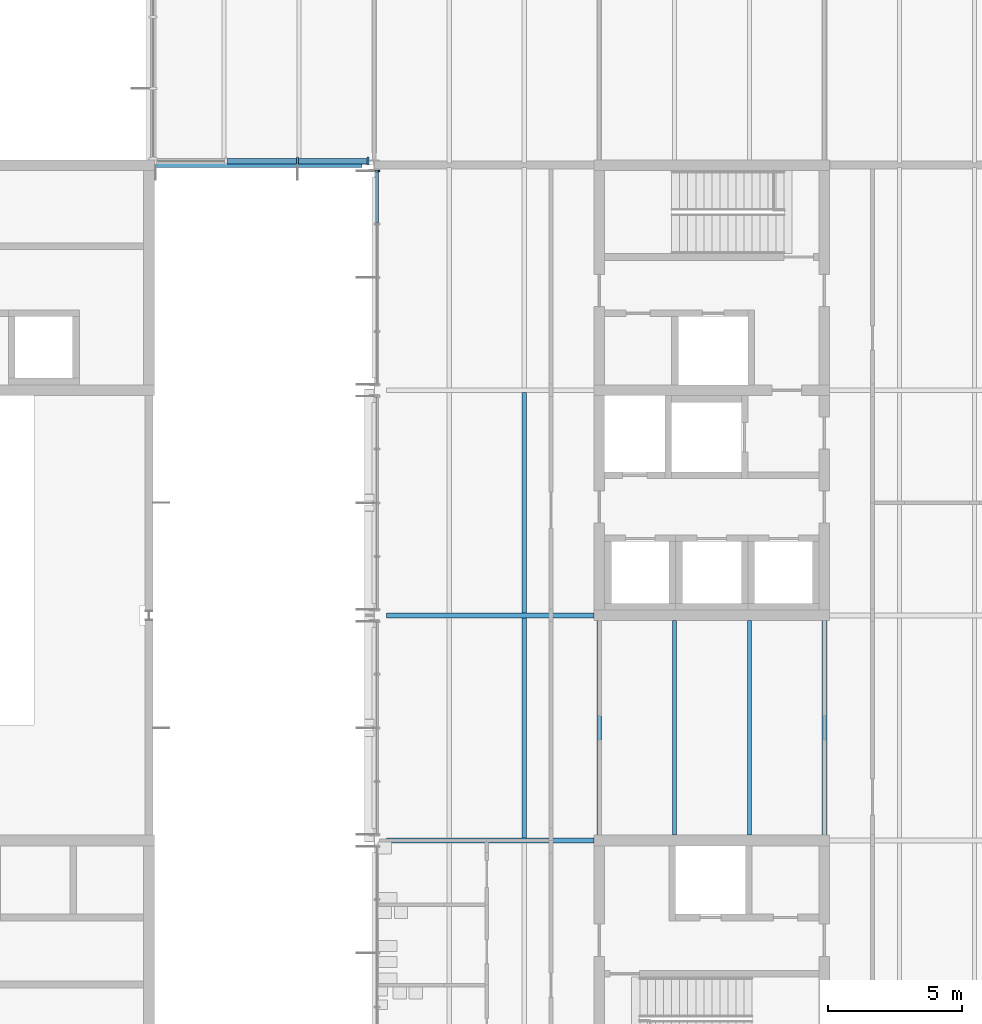
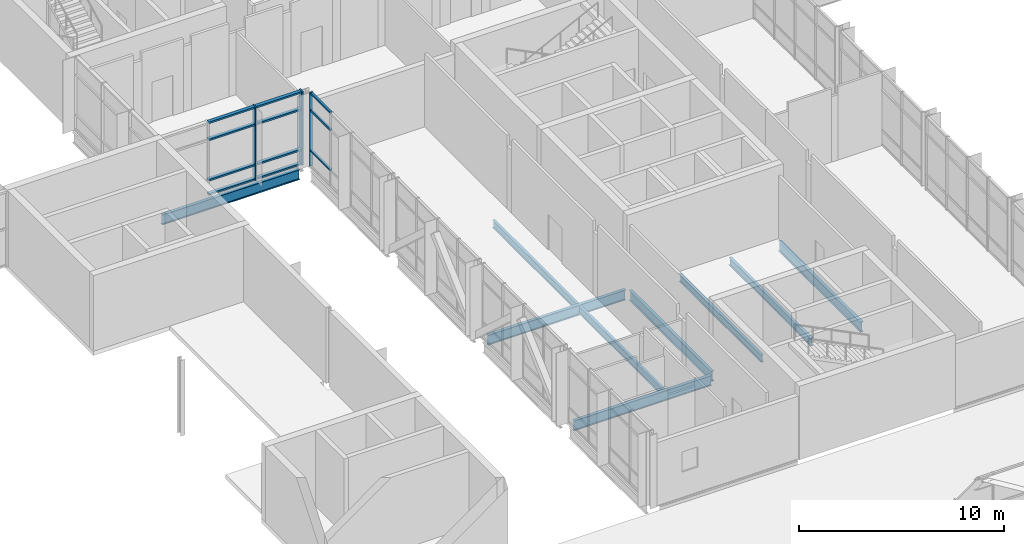
# One storey, part 28 of 89: 14 members, 9 beams, 2 elements without a shape of their own.
"""IFC4 building model written with IfcOpenShell, lengths in metres."""

import ifcopenshell
import ifcopenshell.guid

model = None  # the IFC model being written
_history = None  # IfcOwnerHistory: only IFC2X3 demands one
_inside = {}  # id of a spatial element -> (the spatial element, [elements in it])
_under = {}  # id of a project, library or spatial element -> (it, [spatial elements below it])
_declared = {}  # id of a project -> (the project, [libraries it declares])
_typed = {}  # id of a type object -> (the type object, [elements of that type])
_made_of = {}  # id of a material, layer set ... -> (it, [elements and type objects made of it])


def new_model(schema):
    """Start an empty IFC model of exactly this schema.

    Asked for "IFC4X3", IfcOpenShell would pick the latest addendum, in which some entities
    have other attributes; the version numbers below select the first issue.
    IFC2X3 requires an IfcOwnerHistory on every rooted entity: one is made here for all.
    """
    global model, _history
    if schema == "IFC4X3":
        model = ifcopenshell.file(schema_version=(4, 3, 0, 0))
    else:
        model = ifcopenshell.file(schema=schema)
    _inside.clear()
    _under.clear()
    _declared.clear()
    _typed.clear()
    _made_of.clear()
    _history = None
    if model.schema == "IFC2X3":
        org = make("IfcOrganization", Name="unknown")
        user = make(
            "IfcPersonAndOrganization",
            ThePerson=make("IfcPerson", FamilyName="unknown"),
            TheOrganization=org,
        )
        app = make(
            "IfcApplication",
            ApplicationDeveloper=org,
            Version="unknown",
            ApplicationFullName="unknown",
            ApplicationIdentifier="unknown",
        )
        _history = make(
            "IfcOwnerHistory",
            OwningUser=user,
            OwningApplication=app,
            ChangeAction="ADDED",
            CreationDate=0,
        )
    return model


def make(cls, **values):
    """One entity of the class cls with the attributes given. An attribute that is None is left unset."""
    return model.create_entity(
        cls, **{name: value for name, value in values.items() if value is not None}
    )


def rooted(cls, **values):
    """An entity with a GlobalId (a new one), such as an element, a storey or a relation."""
    return make(cls, GlobalId=ifcopenshell.guid.new(), OwnerHistory=_history, **values)


def si_unit(unit_type, name, prefix=None):
    """IfcSIUnit, for example si_unit("LENGTHUNIT", "METRE", prefix="MILLI")."""
    return make("IfcSIUnit", UnitType=unit_type, Prefix=prefix, Name=name)


def assignment(units):
    """IfcUnitAssignment: the units of a project."""
    return None if units is None else make("IfcUnitAssignment", Units=units)


def point(xyz):
    """IfcCartesianPoint."""
    return None if xyz is None else make("IfcCartesianPoint", Coordinates=xyz)


def direction(xyz):
    """IfcDirection."""
    return None if xyz is None else make("IfcDirection", DirectionRatios=xyz)


def frame(location, z_axis=None, x_axis=None):
    """IfcAxis2Placement3D, a coordinate frame: its origin and axes. An axis left out is left unset."""
    return make(
        "IfcAxis2Placement3D",
        Location=point(location),
        Axis=direction(z_axis),
        RefDirection=direction(x_axis),
    )


def frame_2d(location, x_axis=None):
    """IfcAxis2Placement2D, a coordinate frame in the plane: its origin and x axis."""
    return make(
        "IfcAxis2Placement2D", Location=point(location), RefDirection=direction(x_axis)
    )


def origin():
    """The frame at (0, 0, 0) with its axes left unset."""
    return frame((0.0, 0.0, 0.0))


def origin_2d():
    """The frame at (0, 0) in the plane with its x axis left unset."""
    return frame_2d((0.0, 0.0))


def place(relative_to, where):
    """IfcLocalPlacement: puts the frame where relative to a parent placement (None: the world)."""
    return make(
        "IfcLocalPlacement", PlacementRelTo=relative_to, RelativePlacement=where
    )


def context(
    kind, dimensions, precision=None, world=None, true_north=None, identifier=None
):
    """IfcGeometricRepresentationContext, for example the 3D "Model" context."""
    return make(
        "IfcGeometricRepresentationContext",
        ContextIdentifier=identifier,
        ContextType=kind,
        CoordinateSpaceDimension=dimensions,
        Precision=precision,
        WorldCoordinateSystem=world,
        TrueNorth=true_north,
    )


def subcontext(parent, identifier, kind, view, scale=None):
    """IfcGeometricRepresentationSubContext, for example "Body" below "Model"."""
    return make(
        "IfcGeometricRepresentationSubContext",
        ContextIdentifier=identifier,
        ContextType=kind,
        ParentContext=parent,
        TargetScale=scale,
        TargetView=view,
    )


def project(units=None, contexts=None):
    """IfcProject with its units and contexts."""
    return rooted(
        "IfcProject",
        Name="project",
        RepresentationContexts=contexts,
        UnitsInContext=assignment(units),
    )


def spatial(cls, under=None, at=None, **own):
    """A site, building, storey or space (cls), placed at a placement, below another one or the project."""
    s = rooted(cls, ObjectPlacement=at, **own)
    if under is not None:
        _under.setdefault(under.id(), (under, []))[1].append(s)
    return s


def profile(cls, at=None, kind="AREA", **sizes):
    """A parametric profile (cls). Its sizes go by their IFC names, for example OverallWidth=200.0."""
    return make(cls, ProfileType=kind, Position=at, **sizes)


def rectangle(**sizes):
    """IfcRectangleProfileDef."""
    return profile("IfcRectangleProfileDef", **sizes)


def i_section(**sizes):
    """IfcIShapeProfileDef."""
    return profile("IfcIShapeProfileDef", **sizes)


def extrude(swept, where, along, depth):
    """IfcExtrudedAreaSolid: the profile swept, set in the frame where, extruded along a direction by depth."""
    return make(
        "IfcExtrudedAreaSolid",
        SweptArea=swept,
        Position=where,
        ExtrudedDirection=direction(along),
        Depth=depth,
    )


def shape(context_of_items, identifier, shape_type, items):
    """IfcShapeRepresentation: the items that make up one representation, for example the "Body"."""
    return make(
        "IfcShapeRepresentation",
        ContextOfItems=context_of_items,
        RepresentationIdentifier=identifier,
        RepresentationType=shape_type,
        Items=items,
    )


def material(Name=None, Category=None):
    """IfcMaterial."""
    return make("IfcMaterial", Name=Name, Category=Category)


def material_profile(
    of_material, cross_section, Name=None, Category=None, Priority=None
):
    """IfcMaterialProfile: a cross section and its material."""
    return make(
        "IfcMaterialProfile",
        Name=Name,
        Material=of_material,
        Profile=cross_section,
        Priority=Priority,
        Category=Category,
    )


def profile_set(profiles, Name=None, composite=None):
    """IfcMaterialProfileSet."""
    return make(
        "IfcMaterialProfileSet",
        Name=Name,
        MaterialProfiles=profiles,
        CompositeProfile=composite,
    )


def made_of(thing, what):
    """Note that an element or type object is made of a material, layer set ...; save() writes the relation."""
    if what is not None:
        _made_of.setdefault(what.id(), (what, []))[1].append(thing)
    return thing


def type_object(cls, material=None, **own):
    """A type object (cls), such as IfcWallType, which elements share."""
    return made_of(rooted(cls, **own), material)


def element(
    cls,
    number,
    at=None,
    inside=None,
    cuts=None,
    type_object=None,
    material=None,
    context=None,
    identifier="Body",
    shape_type=None,
    held_by="IfcProductDefinitionShape",
    body=None,
    shapes=None,
    **own,
):
    """One element of the class cls, such as IfcWall. Its Tag is "e" and its number.

    at: its placement. inside: the storey or other place that contains it. cuts: it is an
    opening in that element (IfcRelVoidsElement). A single representation is given by context,
    identifier, shape_type and body (its items); several are given by shapes. held_by: the class
    of the entity that holds the representations. save() writes the other relations.
    """
    e = rooted(cls, Tag="e%d" % number, ObjectPlacement=at, **own)
    if body is not None:
        shapes = [shape(context, identifier, shape_type, body)]
    if shapes is not None:
        e.Representation = make(held_by, Representations=shapes)
    if inside is not None:
        _inside.setdefault(inside.id(), (inside, []))[1].append(e)
    if cuts is not None:
        rooted(
            "IfcRelVoidsElement", RelatingBuildingElement=cuts, RelatedOpeningElement=e
        )
    if type_object is not None:
        _typed.setdefault(type_object.id(), (type_object, []))[1].append(e)
    return made_of(e, material)


def aggregate(whole, parts):
    """IfcRelAggregates: a whole, such as a stair, and the parts it consists of."""
    return rooted("IfcRelAggregates", RelatingObject=whole, RelatedObjects=parts)


def save(model, path):
    """Write the relations noted so far, then the file.

    IfcRelAggregates (storeys below a building ...), IfcRelContainedInSpatialStructure (elements
    in a storey), IfcRelDefinesByType, IfcRelAssociatesMaterial and IfcRelDeclares: one each for
    every whole, place, type object, material and project.
    """
    for whole, parts in _under.values():
        aggregate(whole, parts)
    for where, things in _inside.values():
        rooted(
            "IfcRelContainedInSpatialStructure",
            RelatedElements=things,
            RelatingStructure=where,
        )
    for kind, things in _typed.values():
        rooted("IfcRelDefinesByType", RelatedObjects=things, RelatingType=kind)
    for what, things in _made_of.values():
        rooted("IfcRelAssociatesMaterial", RelatedObjects=things, RelatingMaterial=what)
    for by, libraries in _declared.values():
        rooted("IfcRelDeclares", RelatingContext=by, RelatedDefinitions=libraries)
    model.write(path)


model = new_model("IFC4")

# Units and contexts
model_context = context("Model", 3, precision=1e-05, world=origin(), true_north=direction((0.0, 1.0)))
body_context = subcontext(model_context, "Body", "Model", "MODEL_VIEW")
ifc_project = project(units=[si_unit("LENGTHUNIT", "METRE"), si_unit("AREAUNIT", "SQUARE_METRE"), si_unit("VOLUMEUNIT", "CUBIC_METRE"), si_unit("PLANEANGLEUNIT", "RADIAN"), si_unit("MASSUNIT", "GRAM", prefix="KILO")], contexts=[model_context])

# Site, building, storey
site_placement = place(None, origin())
site = spatial("IfcSite", under=ifc_project, at=site_placement, CompositionType="ELEMENT")
building_placement = place(site_placement, origin())
building = spatial("IfcBuilding", under=site, at=building_placement, Name="Hlaing Beacon Police Headquarters", CompositionType="ELEMENT")
storey_placement = place(building_placement, frame((0.0, 0.0, 9.89990234375)))
storey = spatial("IfcBuildingStorey", under=building, at=storey_placement, Name="L02", CompositionType="ELEMENT", Elevation=9.89990234375)

# Beams
ifc_material_1 = material(Name="Steel ASTM A992 Grade 50", Category="steel")
ifc_material_profile_1 = material_profile(ifc_material_1, i_section(OverallWidth=0.177978515625, OverallDepth=0.599365234375, WebThickness=0.010009765625, FlangeThickness=0.012939453125, FilletRadius=0.012939453125, at=origin_2d()), Name="W24x55")
ifc_profile_set_1 = profile_set([ifc_material_profile_1], Name="Steel ASTM A992 Grade 50")
beam_type_1 = type_object("IfcBeamType", Name="Girder W24x55", PredefinedType="BEAM", material=ifc_profile_set_1)
for number, where, z_axis, x_axis, name in (
    (1, (101.25, 42.0, -0.4296875), (1.0, 0.0, 0.0), (0.0, 1.0, 0.0), "STR-BM-L02-GX-N6-P6"),
    (2, (101.25, 50.39990234375, -0.4296875), (1.0, 0.0, 0.0), (0.0, 1.0, 0.0), "STR-BM-L02-GX-N7-P7"),
    (3, (92.60009765625, 67.199951171875, -0.4296875), (1.0, 0.0, 0.0), (0.0, 1.0, 0.0), "STR-BM-L02-GX-M9-N9"),
):
    element("IfcBeam", number, at=place(storey_placement, frame(where, z_axis=z_axis, x_axis=x_axis)), inside=storey, type_object=beam_type_1, Name=name, PredefinedType="BEAM", context=body_context, shape_type="SweptSolid", body=[
        extrude(i_section(OverallWidth=0.177978515625, OverallDepth=0.599365234375, WebThickness=0.010009765625, FlangeThickness=0.012939453125, FilletRadius=0.012939453125, at=origin_2d()), origin(), (0.0, 0.0, 1.0), 7.75),
    ])
for number, where, z_axis, x_axis, name in (
    (4, (109.199951171875, 42.199951171875, -0.4296875), (0.0, 1.0, 0.0), (-1.0, 0.0, 0.0), "STR-BM-L02-GY-P6-P7"),
    (5, (117.60009765625, 42.199951171875, -0.4296875), (0.0, 1.0, 0.0), (-1.0, 0.0, 0.0), "STR-BM-L02-GY-Q6-Q7"),
):
    element("IfcBeam", number, at=place(storey_placement, frame(where, z_axis=z_axis, x_axis=x_axis)), inside=storey, type_object=beam_type_1, Name=name, PredefinedType="BEAM", context=body_context, shape_type="SweptSolid", body=[
        extrude(i_section(OverallWidth=0.177978515625, OverallDepth=0.599365234375, WebThickness=0.010009765625, FlangeThickness=0.012939453125, FilletRadius=0.012939453125, at=origin_2d()), origin(), (0.0, 0.0, 1.0), 8.0),
    ])

# Curtain wall, member
ifc_material_2 = material(Name="Aluminium frame with solar control glazing", Category="aluminium")
curtain_wall_type_1 = type_object("IfcCurtainWallType", Name="Unitised curtain wall 8.02 x 4.37", PredefinedType="NOTDEFINED", material=ifc_material_2)
curtain_wall_1_placement = place(storey_placement, origin())
curtain_wall_1 = element("IfcCurtainWall", 6, at=curtain_wall_1_placement, inside=storey, type_object=curtain_wall_type_1, Name="ENV-CW-L02-W030", PredefinedType="NOTDEFINED")
ifc_material_3 = material(Name="Aluminium", Category="aluminium")
ifc_material_profile_2 = material_profile(ifc_material_3, rectangle(XDim=0.199951171875, YDim=0.06005859375, at=origin_2d()), Name="Mullion 60x200")
ifc_profile_set_2 = profile_set([ifc_material_profile_2], Name="Aluminium")
member_type_1 = type_object("IfcMemberType", Name="Mullion 60x200", PredefinedType="MULLION", material=ifc_profile_set_2)
member_1_placement = place(storey_placement, frame((100.89990234375, 66.98193359375, 0.0), z_axis=(0.0, 0.0, 1.0), x_axis=(1.0, 0.0, 0.0)))
member_1 = element("IfcMember", 7, at=member_1_placement, type_object=member_type_1, Name="CW-L02-W030 mullion 1", PredefinedType="MULLION", context=body_context, shape_type="SweptSolid", body=[
    extrude(rectangle(XDim=0.199951171875, YDim=0.06005859375, at=origin_2d()), origin(), (0.0, 0.0, 1.0), 4.3701171875),
])

# Curtain wall, members
ifc_material_4 = material(Name="Aluminium frame with solar control glazing", Category="aluminium")
curtain_wall_type_2 = type_object("IfcCurtainWallType", Name="Structural glazed gable wall 8.00 x 4.37", PredefinedType="NOTDEFINED", material=ifc_material_4)
curtain_wall_2_placement = place(storey_placement, origin())
curtain_wall_2 = element("IfcCurtainWall", 8, at=curtain_wall_2_placement, inside=storey, type_object=curtain_wall_type_2, Name="ENV-CW-L02-S029", PredefinedType="NOTDEFINED")
ifc_material_5 = material(Name="Aluminium", Category="aluminium")
ifc_material_profile_3 = material_profile(ifc_material_5, rectangle(XDim=0.300048828125, YDim=0.080078125, at=origin_2d()), Name="Mullion 80x300")
ifc_profile_set_3 = profile_set([ifc_material_profile_3], Name="Aluminium")
member_type_2 = type_object("IfcMemberType", Name="Mullion 80x300", PredefinedType="MULLION", material=ifc_profile_set_3)
member_2_placement = place(storey_placement, frame((97.935546875, 67.35009765625, 0.0), z_axis=(0.0, 0.0, 1.0), x_axis=(0.0, 1.0, 0.0)))
member_2 = element("IfcMember", 9, at=member_2_placement, type_object=member_type_2, Name="CW-L02-S029 mullion 3", PredefinedType="MULLION", context=body_context, shape_type="SweptSolid", body=[
    extrude(rectangle(XDim=0.300048828125, YDim=0.080078125, at=origin_2d()), origin(), (0.0, 0.0, 1.0), 4.3701171875),
])
member_3_placement = place(storey_placement, frame((100.563232421875, 67.35009765625, 0.0), z_axis=(0.0, 0.0, 1.0), x_axis=(0.0, 1.0, 0.0)))
member_3 = element("IfcMember", 10, at=member_3_placement, type_object=member_type_2, Name="CW-L02-S029 mullion 4", PredefinedType="MULLION", context=body_context, shape_type="SweptSolid", body=[
    extrude(rectangle(XDim=0.300048828125, YDim=0.080078125, at=origin_2d()), origin(), (0.0, 0.0, 1.0), 4.3701171875),
])

# Beams
ifc_material_6 = material(Name="Steel ASTM A992 Grade 50", Category="steel")
ifc_material_profile_4 = material_profile(ifc_material_6, i_section(OverallWidth=0.15234375, OverallDepth=0.449462890625, WebThickness=0.007568359375, FlangeThickness=0.0107421875, FilletRadius=0.01025390625, at=origin_2d()), Name="W18x35")
ifc_profile_set_4 = profile_set([ifc_material_profile_4], Name="Steel ASTM A992 Grade 50")
beam_type_2 = type_object("IfcBeamType", Name="Secondary beam W18x35", PredefinedType="BEAM", material=ifc_profile_set_4)
for number, where, z_axis, x_axis, name in (
    (11, (106.39990234375, 42.089111328125, -0.354736328125), (0.0, 1.0, 0.0), (-1.0, 0.0, 0.0), "STR-BM-L02-SB-N6-y2"),
    (12, (106.39990234375, 50.489013671875, -0.354736328125), (0.0, 1.0, 0.0), (-1.0, 0.0, 0.0), "STR-BM-L02-SB-N7-y2"),
):
    element("IfcBeam", number, at=place(storey_placement, frame(where, z_axis=z_axis, x_axis=x_axis)), inside=storey, type_object=beam_type_2, Name=name, PredefinedType="BEAM", context=body_context, shape_type="SweptSolid", body=[
        extrude(i_section(OverallWidth=0.15234375, OverallDepth=0.449462890625, WebThickness=0.007568359375, FlangeThickness=0.0107421875, FilletRadius=0.01025390625, at=origin_2d()), origin(), (0.0, 0.0, 1.0), 8.221923828125),
    ])
for number, where, z_axis, x_axis, name in (
    (13, (112.0, 42.199951171875, -0.354736328125), (0.0, 1.0, 0.0), (-1.0, 0.0, 0.0), "STR-BM-L02-SB-P6-y1"),
    (14, (114.800048828125, 42.199951171875, -0.354736328125), (0.0, 1.0, 0.0), (-1.0, 0.0, 0.0), "STR-BM-L02-SB-P6-y2"),
):
    element("IfcBeam", number, at=place(storey_placement, frame(where, z_axis=z_axis, x_axis=x_axis)), inside=storey, type_object=beam_type_2, Name=name, PredefinedType="BEAM", context=body_context, shape_type="SweptSolid", body=[
        extrude(i_section(OverallWidth=0.15234375, OverallDepth=0.449462890625, WebThickness=0.007568359375, FlangeThickness=0.0107421875, FilletRadius=0.01025390625, at=origin_2d()), origin(), (0.0, 0.0, 1.0), 8.0),
    ])

# Member
ifc_material_7 = material(Name="Aluminium", Category="aluminium")
ifc_material_profile_5 = material_profile(ifc_material_7, rectangle(XDim=0.1201171875, YDim=0.10009765625, at=origin_2d()), Name="Transom 120x100")
ifc_profile_set_5 = profile_set([ifc_material_profile_5], Name="Aluminium")
member_type_3 = type_object("IfcMemberType", Name="Transom 120x100", PredefinedType="USERDEFINED", material=ifc_profile_set_5)
member_4_placement = place(storey_placement, frame((100.89990234375, 66.951904296875, 0.900146484375), z_axis=(0.0, -1.0, 0.0), x_axis=(1.0, 0.0, 0.0)))
member_4 = element("IfcMember", 15, at=member_4_placement, type_object=member_type_3, Name="CW-L02-W030 transom 1.2", ObjectType="TRANSOM", PredefinedType="USERDEFINED", context=body_context, shape_type="SweptSolid", body=[
    extrude(rectangle(XDim=0.1201171875, YDim=0.10009765625, at=origin_2d()), origin(), (0.0, 0.0, 1.0), 1.91455078125),
])

member_5_placement = place(storey_placement, frame((100.89990234375, 66.951904296875, 3.300048828125), z_axis=(0.0, -1.0, 0.0), x_axis=(1.0, 0.0, 0.0)))
member_5 = element("IfcMember", 16, at=member_5_placement, type_object=member_type_3, Name="CW-L02-W030 transom 1.3", ObjectType="TRANSOM", PredefinedType="USERDEFINED", context=body_context, shape_type="SweptSolid", body=[
    extrude(rectangle(XDim=0.1201171875, YDim=0.10009765625, at=origin_2d()), origin(), (0.0, 0.0, 1.0), 1.91455078125),
])

member_6_placement = place(storey_placement, frame((100.89990234375, 66.951904296875, 4.320068359375), z_axis=(0.0, -1.0, 0.0), x_axis=(1.0, 0.0, 0.0)))
member_6 = element("IfcMember", 17, at=member_6_placement, type_object=member_type_3, Name="CW-L02-W030 transom 1.4", ObjectType="TRANSOM", PredefinedType="USERDEFINED", context=body_context, shape_type="SweptSolid", body=[
    extrude(rectangle(XDim=0.1201171875, YDim=0.10009765625, at=origin_2d()), origin(), (0.0, 0.0, 1.0), 1.91455078125),
])

aggregate(curtain_wall_1, [member_1, member_4, member_5, member_6])

ifc_material_8 = material(Name="Aluminium", Category="aluminium")
ifc_material_profile_6 = material_profile(ifc_material_8, rectangle(XDim=0.199951171875, YDim=0.10009765625, at=origin_2d()), Name="Transom 200x100")
ifc_profile_set_6 = profile_set([ifc_material_profile_6], Name="Aluminium")
member_type_4 = type_object("IfcMemberType", Name="Transom 200x100", PredefinedType="USERDEFINED", material=ifc_profile_set_6)
member_7_placement = place(storey_placement, frame((95.3076171875, 67.35009765625, 0.050048828125), z_axis=(1.0, 0.0, 0.0), x_axis=(0.0, 1.0, 0.0)))
member_7 = element("IfcMember", 18, at=member_7_placement, type_object=member_type_4, Name="CW-L02-S029 transom 2.1", ObjectType="TRANSOM", PredefinedType="USERDEFINED", context=body_context, shape_type="SweptSolid", body=[
    extrude(rectangle(XDim=0.199951171875, YDim=0.10009765625, at=origin_2d()), origin(), (0.0, 0.0, 1.0), 2.587890625),
])

member_8_placement = place(storey_placement, frame((95.3076171875, 67.35009765625, 0.900146484375), z_axis=(1.0, 0.0, 0.0), x_axis=(0.0, 1.0, 0.0)))
member_8 = element("IfcMember", 19, at=member_8_placement, type_object=member_type_4, Name="CW-L02-S029 transom 2.2", ObjectType="TRANSOM", PredefinedType="USERDEFINED", context=body_context, shape_type="SweptSolid", body=[
    extrude(rectangle(XDim=0.199951171875, YDim=0.10009765625, at=origin_2d()), origin(), (0.0, 0.0, 1.0), 2.587890625),
])

member_9_placement = place(storey_placement, frame((95.3076171875, 67.35009765625, 3.300048828125), z_axis=(1.0, 0.0, 0.0), x_axis=(0.0, 1.0, 0.0)))
member_9 = element("IfcMember", 20, at=member_9_placement, type_object=member_type_4, Name="CW-L02-S029 transom 2.3", ObjectType="TRANSOM", PredefinedType="USERDEFINED", context=body_context, shape_type="SweptSolid", body=[
    extrude(rectangle(XDim=0.199951171875, YDim=0.10009765625, at=origin_2d()), origin(), (0.0, 0.0, 1.0), 2.587890625),
])

member_10_placement = place(storey_placement, frame((95.3076171875, 67.35009765625, 4.320068359375), z_axis=(1.0, 0.0, 0.0), x_axis=(0.0, 1.0, 0.0)))
member_10 = element("IfcMember", 21, at=member_10_placement, type_object=member_type_4, Name="CW-L02-S029 transom 2.4", ObjectType="TRANSOM", PredefinedType="USERDEFINED", context=body_context, shape_type="SweptSolid", body=[
    extrude(rectangle(XDim=0.199951171875, YDim=0.10009765625, at=origin_2d()), origin(), (0.0, 0.0, 1.0), 2.587890625),
])

member_11_placement = place(storey_placement, frame((97.9755859375, 67.35009765625, 0.050048828125), z_axis=(1.0, 0.0, 0.0), x_axis=(0.0, 1.0, 0.0)))
member_11 = element("IfcMember", 22, at=member_11_placement, type_object=member_type_4, Name="CW-L02-S029 transom 3.1", ObjectType="TRANSOM", PredefinedType="USERDEFINED", context=body_context, shape_type="SweptSolid", body=[
    extrude(rectangle(XDim=0.199951171875, YDim=0.10009765625, at=origin_2d()), origin(), (0.0, 0.0, 1.0), 2.547607421875),
])

member_12_placement = place(storey_placement, frame((97.9755859375, 67.35009765625, 0.900146484375), z_axis=(1.0, 0.0, 0.0), x_axis=(0.0, 1.0, 0.0)))
member_12 = element("IfcMember", 23, at=member_12_placement, type_object=member_type_4, Name="CW-L02-S029 transom 3.2", ObjectType="TRANSOM", PredefinedType="USERDEFINED", context=body_context, shape_type="SweptSolid", body=[
    extrude(rectangle(XDim=0.199951171875, YDim=0.10009765625, at=origin_2d()), origin(), (0.0, 0.0, 1.0), 2.547607421875),
])

member_13_placement = place(storey_placement, frame((97.9755859375, 67.35009765625, 3.300048828125), z_axis=(1.0, 0.0, 0.0), x_axis=(0.0, 1.0, 0.0)))
member_13 = element("IfcMember", 24, at=member_13_placement, type_object=member_type_4, Name="CW-L02-S029 transom 3.3", ObjectType="TRANSOM", PredefinedType="USERDEFINED", context=body_context, shape_type="SweptSolid", body=[
    extrude(rectangle(XDim=0.199951171875, YDim=0.10009765625, at=origin_2d()), origin(), (0.0, 0.0, 1.0), 2.547607421875),
])

member_14_placement = place(storey_placement, frame((97.9755859375, 67.35009765625, 4.320068359375), z_axis=(1.0, 0.0, 0.0), x_axis=(0.0, 1.0, 0.0)))
member_14 = element("IfcMember", 25, at=member_14_placement, type_object=member_type_4, Name="CW-L02-S029 transom 3.4", ObjectType="TRANSOM", PredefinedType="USERDEFINED", context=body_context, shape_type="SweptSolid", body=[
    extrude(rectangle(XDim=0.199951171875, YDim=0.10009765625, at=origin_2d()), origin(), (0.0, 0.0, 1.0), 2.547607421875),
])

aggregate(curtain_wall_2, [member_2, member_3, member_7, member_8, member_9, member_10, member_11, member_12, member_13, member_14])

save(model, "model.ifc")
